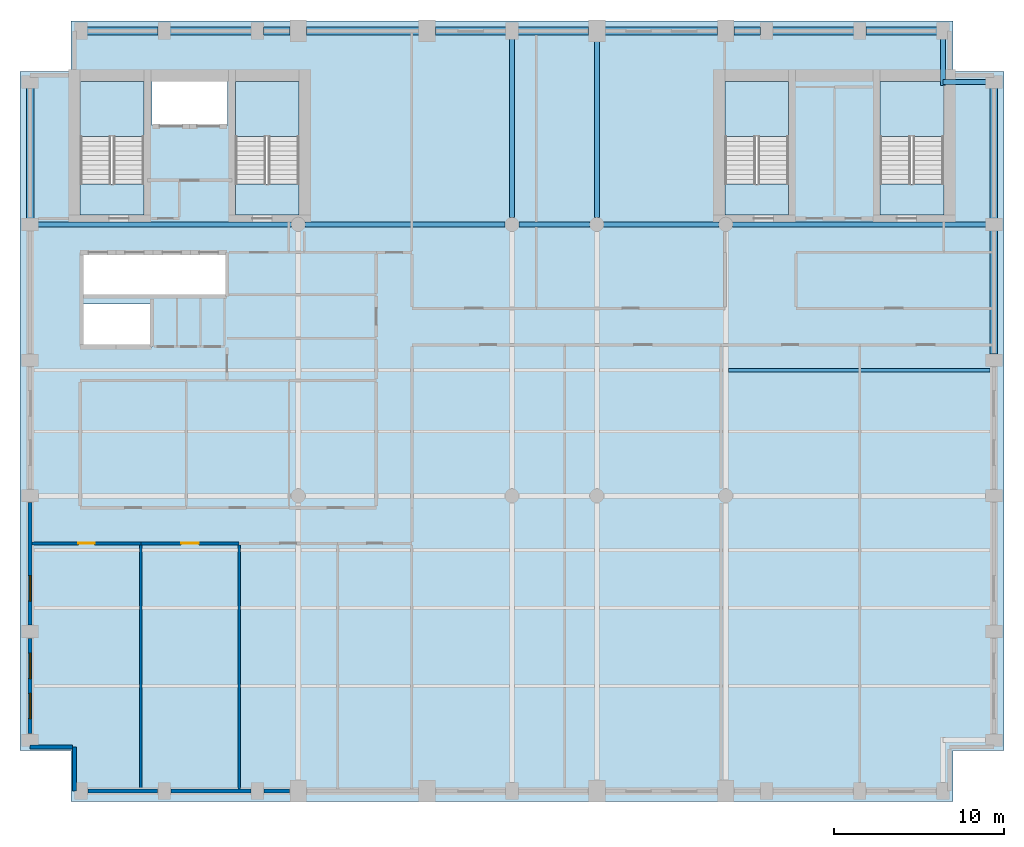
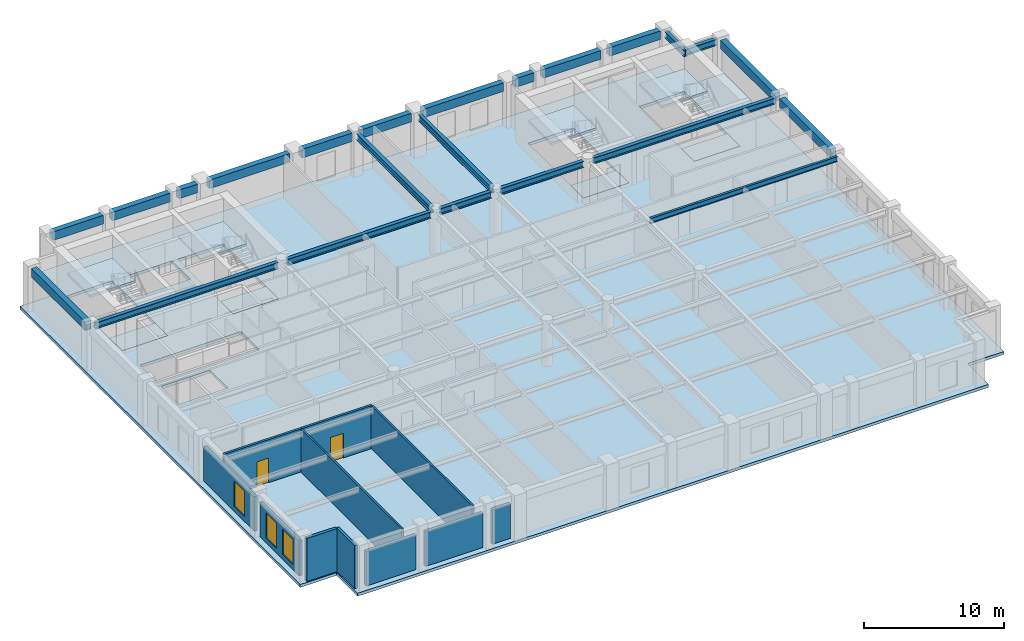
# One storey, part 2 of 8: 23 beams, 11 walls, 9 slabs, 3 windows, 2 doors, 5 openings, 4 elements without a shape of their own.
"""IFC4 building model written with IfcOpenShell, lengths in metres."""

from ifc_helpers import new_model, si_unit, direction, frame, frame_2d, origin, origin_2d, place, context, subcontext, project, spatial, polyline, rectangle, i_section, outline, extrude, material, layer, layer_set, material_profile, profile_set, type_object, element, fill, aggregate, save


model = new_model("IFC4")

# Units and contexts
model_context = context("Model", 3, precision=1e-05, world=origin(), true_north=direction((0.0, 1.0)))
body_context = subcontext(model_context, "Body", "Model", "MODEL_VIEW")
ifc_project = project(units=[si_unit("LENGTHUNIT", "METRE"), si_unit("AREAUNIT", "SQUARE_METRE"), si_unit("VOLUMEUNIT", "CUBIC_METRE"), si_unit("PLANEANGLEUNIT", "RADIAN"), si_unit("MASSUNIT", "GRAM", prefix="KILO")], contexts=[model_context])

# Site, building, storey
site_placement = place(None, origin())
site = spatial("IfcSite", under=ifc_project, at=site_placement, CompositionType="ELEMENT")
building_placement = place(site_placement, origin())
building = spatial("IfcBuilding", under=site, at=building_placement, Name="Sulina Concourse Tower", CompositionType="ELEMENT")
storey_placement = place(building_placement, frame((0.0, 0.0, 252.60009765625)))
storey = spatial("IfcBuildingStorey", under=building, at=storey_placement, Name="L61", CompositionType="ELEMENT", Elevation=252.60009765625)

# Beams
ifc_material_1 = material(Name="Steel S355", Category="steel")
ifc_material_profile_1 = material_profile(ifc_material_1, i_section(OverallWidth=0.18994140625, OverallDepth=0.449951171875, WebThickness=0.009521484375, FlangeThickness=0.0146484375, at=origin_2d()), Name="IPE 450")
ifc_profile_set_1 = profile_set([ifc_material_profile_1], Name="Steel S355")
beam_type_1 = type_object("IfcBeamType", Name="Composite Floor Joist IPE450", PredefinedType="JOIST", material=ifc_profile_set_1)
beam_1_placement = place(storey_placement, frame((41.75, 25.39990234375, 3.52490234375), z_axis=(1.0, 0.0, 0.0), x_axis=(0.0, 1.0, 0.0)))
element("IfcBeam", 1, at=beam_1_placement, inside=storey, type_object=beam_type_1, Name="FJ-J25-5-L61", PredefinedType="JOIST", context=body_context, shape_type="SweptSolid", body=[
    extrude(i_section(OverallWidth=0.18994140625, OverallDepth=0.449951171875, WebThickness=0.009521484375, FlangeThickness=0.0146484375, at=origin_2d()), origin(), (0.0, 0.0, 1.0), 15.425048828125),
])
ifc_material_2 = material(Name="Steel S355", Category="steel")
ifc_material_profile_2 = material_profile(ifc_material_2, i_section(OverallWidth=0.300048828125, OverallDepth=0.550048828125, WebThickness=0.014892578125, FlangeThickness=0.029052734375, at=origin_2d()), Name="HE 550 B")
ifc_profile_set_2 = profile_set([ifc_material_profile_2], Name="Steel S355")
beam_type_2 = type_object("IfcBeamType", Name="Floor Primary Girder Zone 4 HE550B", PredefinedType="BEAM", material=ifc_profile_set_2)
beam_2_placement = place(storey_placement, frame((54.39990234375, 42.39990234375, 3.474853515625), z_axis=(1.0, 0.0, 0.0), x_axis=(0.0, 1.0, 0.0)))
element("IfcBeam", 2, at=beam_2_placement, inside=storey, type_object=beam_type_2, Name="TIE-NE-L61", PredefinedType="BEAM", context=body_context, shape_type="SweptSolid", body=[
    extrude(i_section(OverallWidth=0.300048828125, OverallDepth=0.550048828125, WebThickness=0.014892578125, FlangeThickness=0.029052734375, at=origin_2d()), origin(), (0.0, 0.0, 1.0), 2.64501953125),
])
beam_3_placement = place(storey_placement, frame((54.39990234375, 42.199951171875, 3.474853515625), z_axis=(0.0, 1.0, 0.0), x_axis=(-1.0, 0.0, 0.0)))
element("IfcBeam", 3, at=beam_3_placement, inside=storey, type_object=beam_type_2, Name="TIE-NEN-L61", PredefinedType="BEAM", context=body_context, shape_type="SweptSolid", body=[
    extrude(i_section(OverallWidth=0.300048828125, OverallDepth=0.550048828125, WebThickness=0.014892578125, FlangeThickness=0.029052734375, at=origin_2d()), origin(), (0.0, 0.0, 1.0), 2.844970703125),
])
beam_4_placement = place(storey_placement, frame((0.955078125, 34.0, 3.474853515625), z_axis=(1.0, 0.0, 0.0), x_axis=(0.0, 1.0, 0.0)))
element("IfcBeam", 4, at=beam_4_placement, inside=storey, type_object=beam_type_2, Name="FG-EWN1-L61", PredefinedType="BEAM", context=body_context, shape_type="SweptSolid", body=[
    extrude(i_section(OverallWidth=0.300048828125, OverallDepth=0.550048828125, WebThickness=0.014892578125, FlangeThickness=0.029052734375, at=origin_2d()), origin(), (0.0, 0.0, 1.0), 15.0400390625),
])
beam_5_placement = place(storey_placement, frame((16.804931640625, 34.0, 3.474853515625), z_axis=(1.0, 0.0, 0.0), x_axis=(0.0, 1.0, 0.0)))
element("IfcBeam", 5, at=beam_5_placement, inside=storey, type_object=beam_type_2, Name="FG-EWN2-L61", PredefinedType="BEAM", context=body_context, shape_type="SweptSolid", body=[
    extrude(i_section(OverallWidth=0.300048828125, OverallDepth=0.550048828125, WebThickness=0.014892578125, FlangeThickness=0.029052734375, at=origin_2d()), origin(), (0.0, 0.0, 1.0), 11.7900390625),
])
beam_6_placement = place(storey_placement, frame((29.405029296875, 34.0, 3.474853515625), z_axis=(1.0, 0.0, 0.0), x_axis=(0.0, 1.0, 0.0)))
element("IfcBeam", 6, at=beam_6_placement, inside=storey, type_object=beam_type_2, Name="FG-EWN3-L61", PredefinedType="BEAM", context=body_context, shape_type="SweptSolid", body=[
    extrude(i_section(OverallWidth=0.300048828125, OverallDepth=0.550048828125, WebThickness=0.014892578125, FlangeThickness=0.029052734375, at=origin_2d()), origin(), (0.0, 0.0, 1.0), 4.18994140625),
])
beam_7_placement = place(storey_placement, frame((34.405029296875, 34.0, 3.474853515625), z_axis=(1.0, 0.0, 0.0), x_axis=(0.0, 1.0, 0.0)))
element("IfcBeam", 7, at=beam_7_placement, inside=storey, type_object=beam_type_2, Name="FG-EWN4-L61", PredefinedType="BEAM", context=body_context, shape_type="SweptSolid", body=[
    extrude(i_section(OverallWidth=0.300048828125, OverallDepth=0.550048828125, WebThickness=0.014892578125, FlangeThickness=0.029052734375, at=origin_2d()), origin(), (0.0, 0.0, 1.0), 6.7900390625),
])
beam_8_placement = place(storey_placement, frame((42.0048828125, 34.0, 3.474853515625), z_axis=(1.0, 0.0, 0.0), x_axis=(0.0, 1.0, 0.0)))
element("IfcBeam", 8, at=beam_8_placement, inside=storey, type_object=beam_type_2, Name="FG-EWN5-L61", PredefinedType="BEAM", context=body_context, shape_type="SweptSolid", body=[
    extrude(i_section(OverallWidth=0.300048828125, OverallDepth=0.550048828125, WebThickness=0.014892578125, FlangeThickness=0.029052734375, at=origin_2d()), origin(), (0.0, 0.0, 1.0), 15.0400390625),
])
beam_9_placement = place(storey_placement, frame((29.0, 34.405029296875, 3.474853515625), z_axis=(0.0, 1.0, 0.0), x_axis=(-1.0, 0.0, 0.0)))
element("IfcBeam", 9, at=beam_9_placement, inside=storey, type_object=beam_type_2, Name="FG-NSC-29-L61", PredefinedType="BEAM", context=body_context, shape_type="SweptSolid", body=[
    extrude(i_section(OverallWidth=0.300048828125, OverallDepth=0.550048828125, WebThickness=0.014892578125, FlangeThickness=0.029052734375, at=origin_2d()), origin(), (0.0, 0.0, 1.0), 10.639892578125),
])
beam_10_placement = place(storey_placement, frame((34.0, 34.405029296875, 3.474853515625), z_axis=(0.0, 1.0, 0.0), x_axis=(-1.0, 0.0, 0.0)))
element("IfcBeam", 10, at=beam_10_placement, inside=storey, type_object=beam_type_2, Name="FG-NSC-34-L61", PredefinedType="BEAM", context=body_context, shape_type="SweptSolid", body=[
    extrude(i_section(OverallWidth=0.300048828125, OverallDepth=0.550048828125, WebThickness=0.014892578125, FlangeThickness=0.029052734375, at=origin_2d()), origin(), (0.0, 0.0, 1.0), 10.514892578125),
])
ifc_material_3 = material(Name="Precast concrete C50/60", Category="concrete")
ifc_material_profile_3 = material_profile(ifc_material_3, rectangle(XDim=0.449951171875, YDim=0.75, at=origin_2d()), Name="RC 450x750")
ifc_profile_set_3 = profile_set([ifc_material_profile_3], Name="Precast concrete C50/60")
beam_type_3 = type_object("IfcBeamType", Name="Upper Precast Spandrel Edge Beam 450x750", PredefinedType="BEAM", material=ifc_profile_set_3)
beam_11_placement = place(storey_placement, frame((3.955078125, 45.39990234375, 3.375), z_axis=(1.0, 0.0, 0.0), x_axis=(0.0, 1.0, 0.0)))
element("IfcBeam", 11, at=beam_11_placement, inside=storey, type_object=beam_type_3, Name="SP-N1-L61", PredefinedType="BEAM", context=body_context, shape_type="SweptSolid", body=[
    extrude(rectangle(XDim=0.449951171875, YDim=0.75, at=origin_2d()), origin(), (0.0, 0.0, 1.0), 4.18994140625),
])
beam_12_placement = place(storey_placement, frame((8.85498046875, 45.39990234375, 3.375), z_axis=(1.0, 0.0, 0.0), x_axis=(0.0, 1.0, 0.0)))
element("IfcBeam", 12, at=beam_12_placement, inside=storey, type_object=beam_type_3, Name="SP-N2-L61", PredefinedType="BEAM", context=body_context, shape_type="SweptSolid", body=[
    extrude(rectangle(XDim=0.449951171875, YDim=0.75, at=origin_2d()), origin(), (0.0, 0.0, 1.0), 4.7900390625),
])
beam_13_placement = place(storey_placement, frame((14.35498046875, 45.39990234375, 3.375), z_axis=(1.0, 0.0, 0.0), x_axis=(0.0, 1.0, 0.0)))
element("IfcBeam", 13, at=beam_13_placement, inside=storey, type_object=beam_type_3, Name="SP-N3-L61", PredefinedType="BEAM", context=body_context, shape_type="SweptSolid", body=[
    extrude(rectangle(XDim=0.449951171875, YDim=0.75, at=origin_2d()), origin(), (0.0, 0.0, 1.0), 1.56494140625),
])
beam_14_placement = place(storey_placement, frame((16.8798828125, 45.39990234375, 3.375), z_axis=(1.0, 0.0, 0.0), x_axis=(0.0, 1.0, 0.0)))
element("IfcBeam", 14, at=beam_14_placement, inside=storey, type_object=beam_type_3, Name="SP-N4-L61", PredefinedType="BEAM", context=body_context, shape_type="SweptSolid", body=[
    extrude(rectangle(XDim=0.449951171875, YDim=0.75, at=origin_2d()), origin(), (0.0, 0.0, 1.0), 6.64013671875),
])
for number, where, z_axis, x_axis, name in (
    (15, (24.47998046875, 45.39990234375, 3.375), (1.0, 0.0, 0.0), (0.0, 1.0, 0.0), "SP-N5-L61"),
    (16, (29.35498046875, 45.39990234375, 3.375), (1.0, 0.0, 0.0), (0.0, 1.0, 0.0), "SP-N6-L61"),
):
    element("IfcBeam", number, at=place(storey_placement, frame(where, z_axis=z_axis, x_axis=x_axis)), inside=storey, type_object=beam_type_3, Name=name, PredefinedType="BEAM", context=body_context, shape_type="SweptSolid", body=[
        extrude(rectangle(XDim=0.449951171875, YDim=0.75, at=origin_2d()), origin(), (0.0, 0.0, 1.0), 4.1650390625),
    ])
beam_15_placement = place(storey_placement, frame((34.47998046875, 45.39990234375, 3.375), z_axis=(1.0, 0.0, 0.0), x_axis=(0.0, 1.0, 0.0)))
element("IfcBeam", 17, at=beam_15_placement, inside=storey, type_object=beam_type_3, Name="SP-N7-L61", PredefinedType="BEAM", context=body_context, shape_type="SweptSolid", body=[
    extrude(rectangle(XDim=0.449951171875, YDim=0.75, at=origin_2d()), origin(), (0.0, 0.0, 1.0), 6.64013671875),
])
beam_16_placement = place(storey_placement, frame((42.080078125, 45.39990234375, 3.375), z_axis=(1.0, 0.0, 0.0), x_axis=(0.0, 1.0, 0.0)))
element("IfcBeam", 18, at=beam_16_placement, inside=storey, type_object=beam_type_3, Name="SP-N8-L61", PredefinedType="BEAM", context=body_context, shape_type="SweptSolid", body=[
    extrude(rectangle(XDim=0.449951171875, YDim=0.75, at=origin_2d()), origin(), (0.0, 0.0, 1.0), 1.56494140625),
])
beam_17_placement = place(storey_placement, frame((44.35498046875, 45.39990234375, 3.375), z_axis=(1.0, 0.0, 0.0), x_axis=(0.0, 1.0, 0.0)))
element("IfcBeam", 19, at=beam_17_placement, inside=storey, type_object=beam_type_3, Name="SP-N9-L61", PredefinedType="BEAM", context=body_context, shape_type="SweptSolid", body=[
    extrude(rectangle(XDim=0.449951171875, YDim=0.75, at=origin_2d()), origin(), (0.0, 0.0, 1.0), 4.7900390625),
])
beam_18_placement = place(storey_placement, frame((49.85498046875, 45.39990234375, 3.375), z_axis=(1.0, 0.0, 0.0), x_axis=(0.0, 1.0, 0.0)))
element("IfcBeam", 20, at=beam_18_placement, inside=storey, type_object=beam_type_3, Name="SP-N10-L61", PredefinedType="BEAM", context=body_context, shape_type="SweptSolid", body=[
    extrude(rectangle(XDim=0.449951171875, YDim=0.75, at=origin_2d()), origin(), (0.0, 0.0, 1.0), 4.18994140625),
])
beam_19_placement = place(storey_placement, frame((0.60009765625, 34.35498046875, 3.375), z_axis=(0.0, 1.0, 0.0), x_axis=(-1.0, 0.0, 0.0)))
element("IfcBeam", 21, at=beam_19_placement, inside=storey, type_object=beam_type_3, Name="SP-W5-L61", PredefinedType="BEAM", context=body_context, shape_type="SweptSolid", body=[
    extrude(rectangle(XDim=0.449951171875, YDim=0.75, at=origin_2d()), origin(), (0.0, 0.0, 1.0), 7.68994140625),
])
beam_20_placement = place(storey_placement, frame((57.39990234375, 26.35498046875, 3.375), z_axis=(0.0, 1.0, 0.0), x_axis=(-1.0, 0.0, 0.0)))
element("IfcBeam", 22, at=beam_20_placement, inside=storey, type_object=beam_type_3, Name="SP-E4-L61", PredefinedType="BEAM", context=body_context, shape_type="SweptSolid", body=[
    extrude(rectangle(XDim=0.449951171875, YDim=0.75, at=origin_2d()), origin(), (0.0, 0.0, 1.0), 7.2900390625),
])
beam_21_placement = place(storey_placement, frame((57.39990234375, 34.35498046875, 3.375), z_axis=(0.0, 1.0, 0.0), x_axis=(-1.0, 0.0, 0.0)))
element("IfcBeam", 23, at=beam_21_placement, inside=storey, type_object=beam_type_3, Name="SP-E5-L61", PredefinedType="BEAM", context=body_context, shape_type="SweptSolid", body=[
    extrude(rectangle(XDim=0.449951171875, YDim=0.75, at=origin_2d()), origin(), (0.0, 0.0, 1.0), 7.68994140625),
])

# Slabs
ifc_material_4 = material(Name="Concrete C50/60", Category="concrete")
ifc_layer_1 = layer(ifc_material_4, 0.25)
ifc_layer_set_1 = layer_set([ifc_layer_1], Name="Concrete C50/60")
slab_type_1 = type_object("IfcSlabType", Name="High-Rise Composite Floor Slab 250mm", PredefinedType="FLOOR", material=ifc_layer_set_1)
slab_1_placement = place(storey_placement, frame((0.0, 0.0, -0.25)))
element("IfcSlab", 24, at=slab_1_placement, inside=storey, type_object=slab_type_1, Name="L61 structural floor slab", PredefinedType="FLOOR", context=body_context, shape_type="SweptSolid", body=[
    extrude(outline(polyline([(3.0, 0.0), (55.0, 0.0), (55.0, 3.0), (58.0, 3.0), (58.0, 43.0), (55.0, 43.0), (55.0, 46.0), (3.0, 46.0), (3.0, 43.0), (0.0, 43.0), (0.0, 3.0), (3.0, 3.0), (3.0, 0.0)]), holes=[polyline([(7.31005859375, 34.550048828125), (7.31005859375, 42.429931640625), (3.550048828125, 42.429931640625), (3.550048828125, 34.550048828125), (7.31005859375, 34.550048828125)]), polyline([(16.449951171875, 34.550048828125), (16.449951171875, 42.429931640625), (12.68994140625, 42.429931640625), (12.68994140625, 34.550048828125), (16.449951171875, 34.550048828125)]), polyline([(45.31005859375, 34.550048828125), (45.31005859375, 42.429931640625), (41.550048828125, 42.429931640625), (41.550048828125, 34.550048828125), (45.31005859375, 34.550048828125)]), polyline([(54.449951171875, 34.550048828125), (54.449951171875, 42.429931640625), (50.68994140625, 42.429931640625), (50.68994140625, 34.550048828125), (54.449951171875, 34.550048828125)]), polyline([(7.780029296875, 39.830078125), (12.219970703125, 39.830078125), (12.219970703125, 42.449951171875), (7.780029296875, 42.449951171875), (7.780029296875, 39.830078125)]), polyline([(3.739990234375, 26.780029296875), (7.77001953125, 26.780029296875), (7.77001953125, 29.320068359375), (3.739990234375, 29.320068359375), (3.739990234375, 26.780029296875)]), polyline([(3.739990234375, 29.780029296875), (12.10009765625, 29.780029296875), (12.10009765625, 32.3701171875), (3.739990234375, 32.3701171875), (3.739990234375, 29.780029296875)])]), origin(), (0.0, 0.0, 1.0), 0.25),
])
ifc_material_5 = material(Name="Concrete C50/60", Category="concrete")
ifc_layer_2 = layer(ifc_material_5, 0.199951171875)
ifc_layer_set_2 = layer_set([ifc_layer_2], Name="Concrete C50/60")
slab_type_2 = type_object("IfcSlabType", Name="Primary Core Stair Landing Slab 200mm", PredefinedType="LANDING", material=ifc_layer_set_2)
slab_2_placement = place(storey_placement, frame((0.0, 0.0, -0.2001953125)))
element("IfcSlab", 25, at=slab_2_placement, inside=storey, type_object=slab_type_2, Name="L61 ST-1 floor landing slab", PredefinedType="LANDING", context=body_context, shape_type="SweptSolid", body=[
    extrude(outline(polyline([(7.31005859375, 34.550048828125), (7.31005859375, 36.375), (3.550048828125, 36.375), (3.550048828125, 34.550048828125), (7.31005859375, 34.550048828125)])), origin(), (0.0, 0.0, 1.0), 0.2001953125),
])
slab_3_placement = place(storey_placement, frame((0.0, 0.0, -0.2001953125)))
element("IfcSlab", 26, at=slab_3_placement, inside=storey, type_object=slab_type_2, Name="L61 ST-2 floor landing slab", PredefinedType="LANDING", context=body_context, shape_type="SweptSolid", body=[
    extrude(outline(polyline([(16.449951171875, 34.550048828125), (16.449951171875, 36.375), (12.68994140625, 36.375), (12.68994140625, 34.550048828125), (16.449951171875, 34.550048828125)])), origin(), (0.0, 0.0, 1.0), 0.2001953125),
])
slab_4_placement = place(storey_placement, frame((0.0, 0.0, -0.2001953125)))
element("IfcSlab", 27, at=slab_4_placement, inside=storey, type_object=slab_type_2, Name="L61 ST-3 floor landing slab", PredefinedType="LANDING", context=body_context, shape_type="SweptSolid", body=[
    extrude(outline(polyline([(45.31005859375, 34.550048828125), (45.31005859375, 36.375), (41.550048828125, 36.375), (41.550048828125, 34.550048828125), (45.31005859375, 34.550048828125)])), origin(), (0.0, 0.0, 1.0), 0.2001953125),
])
slab_5_placement = place(storey_placement, frame((0.0, 0.0, -0.2001953125)))
element("IfcSlab", 28, at=slab_5_placement, inside=storey, type_object=slab_type_2, Name="L61 ST-4 floor landing slab", PredefinedType="LANDING", context=body_context, shape_type="SweptSolid", body=[
    extrude(outline(polyline([(54.449951171875, 34.550048828125), (54.449951171875, 36.375), (50.68994140625, 36.375), (50.68994140625, 34.550048828125), (54.449951171875, 34.550048828125)])), origin(), (0.0, 0.0, 1.0), 0.2001953125),
])

# Stair, slab
ifc_material_6 = material(Name="Concrete C50/60", Category="concrete")
stair_type_1 = type_object("IfcStairType", Name="Primary Core Dog-Leg Exit Stair 1800mm", PredefinedType="HALF_TURN_STAIR", material=ifc_material_6)
stair_1_placement = place(storey_placement, origin())
stair_1 = element("IfcStair", 29, at=stair_1_placement, inside=storey, type_object=stair_type_1, Name="L61 ST-1", PredefinedType="HALF_TURN_STAIR")
slab_6_placement = place(storey_placement, frame((0.0, 0.0, 1.7998046875)))
slab_6 = element("IfcSlab", 30, at=slab_6_placement, type_object=slab_type_2, Name="ST-1 landing 1", PredefinedType="LANDING", context=body_context, shape_type="SweptSolid", body=[
    extrude(outline(polyline([(7.304931640625, 39.175048828125), (7.304931640625, 42.425048828125), (3.554931640625, 42.425048828125), (3.554931640625, 39.175048828125), (7.304931640625, 39.175048828125)])), origin(), (0.0, 0.0, 1.0), 0.2001953125),
])
aggregate(stair_1, [slab_6])

stair_2_placement = place(storey_placement, origin())
stair_2 = element("IfcStair", 31, at=stair_2_placement, inside=storey, type_object=stair_type_1, Name="L61 ST-2", PredefinedType="HALF_TURN_STAIR")
slab_7_placement = place(storey_placement, frame((0.0, 0.0, 1.7998046875)))
slab_7 = element("IfcSlab", 32, at=slab_7_placement, type_object=slab_type_2, Name="ST-2 landing 1", PredefinedType="LANDING", context=body_context, shape_type="SweptSolid", body=[
    extrude(outline(polyline([(16.445068359375, 39.175048828125), (16.445068359375, 42.425048828125), (12.695068359375, 42.425048828125), (12.695068359375, 39.175048828125), (16.445068359375, 39.175048828125)])), origin(), (0.0, 0.0, 1.0), 0.2001953125),
])
aggregate(stair_2, [slab_7])

ifc_material_7 = material(Name="Concrete C50/60", Category="concrete")
stair_type_2 = type_object("IfcStairType", Name="Portal & Podium Core Exit Stair 1820mm", PredefinedType="HALF_TURN_STAIR", material=ifc_material_7)
stair_3_placement = place(storey_placement, origin())
stair_3 = element("IfcStair", 33, at=stair_3_placement, inside=storey, type_object=stair_type_2, Name="L61 ST-3", PredefinedType="HALF_TURN_STAIR")
slab_8_placement = place(storey_placement, frame((0.0, 0.0, 1.7998046875)))
slab_8 = element("IfcSlab", 34, at=slab_8_placement, type_object=slab_type_2, Name="ST-3 landing 1", PredefinedType="LANDING", context=body_context, shape_type="SweptSolid", body=[
    extrude(outline(polyline([(45.304931640625, 39.175048828125), (45.304931640625, 42.425048828125), (41.554931640625, 42.425048828125), (41.554931640625, 39.175048828125), (45.304931640625, 39.175048828125)])), origin(), (0.0, 0.0, 1.0), 0.2001953125),
])
aggregate(stair_3, [slab_8])

stair_4_placement = place(storey_placement, origin())
stair_4 = element("IfcStair", 35, at=stair_4_placement, inside=storey, type_object=stair_type_2, Name="L61 ST-4", PredefinedType="HALF_TURN_STAIR")
slab_9_placement = place(storey_placement, frame((0.0, 0.0, 1.7998046875)))
slab_9 = element("IfcSlab", 36, at=slab_9_placement, type_object=slab_type_2, Name="ST-4 landing 1", PredefinedType="LANDING", context=body_context, shape_type="SweptSolid", body=[
    extrude(outline(polyline([(54.445068359375, 39.175048828125), (54.445068359375, 42.425048828125), (50.695068359375, 42.425048828125), (50.695068359375, 39.175048828125), (54.445068359375, 39.175048828125)])), origin(), (0.0, 0.0, 1.0), 0.2001953125),
])
aggregate(stair_4, [slab_9])

# Walls
ifc_material_8 = material(Name="Precast concrete C50/60", Category="concrete")
ifc_layer_3 = layer(ifc_material_8, 0.239990234375)
ifc_layer_set_3 = layer_set([ifc_layer_3], Name="Precast concrete C50/60")
wall_type_1 = type_object("IfcWallType", Name="Crown Precast Masonry-Frame Facade Wall 240mm", PredefinedType="SOLIDWALL", material=ifc_layer_set_3)
wall_1_placement = place(storey_placement, frame((8.10498046875, 0.60009765625, 0.0), z_axis=(0.0, 0.0, 1.0), x_axis=(-1.0, 0.0, 0.0)))
element("IfcWall", 37, at=wall_1_placement, inside=storey, type_object=wall_type_1, Name="L61 exterior precast wall S1", PredefinedType="SOLIDWALL", context=body_context, shape_type="SweptSolid", body=[
    extrude(rectangle(XDim=4.10986328125, YDim=0.239990234375, at=frame_2d((2.054931640625, 0.0))), origin(), (0.0, 0.0, 1.0), 3.0),
])
wall_2_placement = place(storey_placement, frame((13.60498046875, 0.60009765625, 0.0), z_axis=(0.0, 0.0, 1.0), x_axis=(-1.0, 0.0, 0.0)))
element("IfcWall", 38, at=wall_2_placement, inside=storey, type_object=wall_type_1, Name="L61 exterior precast wall S2", PredefinedType="SOLIDWALL", context=body_context, shape_type="SweptSolid", body=[
    extrude(rectangle(XDim=4.7099609375, YDim=0.239990234375, at=frame_2d((2.35498046875, 0.0))), origin(), (0.0, 0.0, 1.0), 3.0),
])
wall_3_placement = place(storey_placement, frame((15.8798828125, 0.60009765625, 0.0), z_axis=(0.0, 0.0, 1.0), x_axis=(-1.0, 0.0, 0.0)))
element("IfcWall", 39, at=wall_3_placement, inside=storey, type_object=wall_type_1, Name="L61 exterior precast wall S3", PredefinedType="SOLIDWALL", context=body_context, shape_type="SweptSolid", body=[
    extrude(rectangle(XDim=1.48486328125, YDim=0.239990234375, at=frame_2d((0.742431640625, 0.0))), origin(), (0.0, 0.0, 1.0), 3.0),
])

# Wall, openings, windows
wall_4_placement = place(storey_placement, frame((0.60009765625, 3.9951171875, 0.0), z_axis=(0.0, 0.0, 1.0), x_axis=(0.0, 1.0, 0.0)))
wall_4 = element("IfcWall", 40, at=wall_4_placement, inside=storey, type_object=wall_type_1, Name="L61 exterior precast wall W1", PredefinedType="SOLIDWALL", context=body_context, shape_type="SweptSolid", body=[
    extrude(rectangle(XDim=5.60986328125, YDim=0.239990234375, at=frame_2d((2.804931640625, 0.0))), origin(), (0.0, 0.0, 1.0), 3.0),
])
opening_1_placement = place(wall_4_placement, frame((0.8701171875, 0.0, 0.419921875)))
opening_1 = element("IfcOpeningElement", 41, at=opening_1_placement, cuts=wall_4, Name="Opening WN-71", PredefinedType="OPENING", context=body_context, shape_type="SweptSolid", body=[
    extrude(rectangle(XDim=1.5, YDim=2.199951171875, at=frame_2d((0.75, 1.10009765625))), frame((0.0, 0.1298828125, 0.0), z_axis=(0.0, -1.0, 0.0), x_axis=(1.0, 0.0, 0.0)), (0.0, 0.0, 1.0), 0.260009765625),
])
opening_2_placement = place(wall_4_placement, frame((3.239990234375, 0.0, 0.419921875)))
opening_2 = element("IfcOpeningElement", 42, at=opening_2_placement, cuts=wall_4, Name="Opening WN-71", PredefinedType="OPENING", context=body_context, shape_type="SweptSolid", body=[
    extrude(rectangle(XDim=1.5, YDim=2.199951171875, at=frame_2d((0.75, 1.10009765625))), frame((0.0, 0.1298828125, 0.0), z_axis=(0.0, -1.0, 0.0), x_axis=(1.0, 0.0, 0.0)), (0.0, 0.0, 1.0), 0.260009765625),
])
ifc_material_9 = material(Name="Low-E solar double glazing in bronze aluminium", Category="aluminium")
window_type = type_object("IfcWindowType", Name="Punched Masonry-Frame Window 1500x2200", PartitioningType="SINGLE_PANEL", PredefinedType="WINDOW", material=ifc_material_9)
window_1_placement = place(opening_1_placement, origin())
window_1 = element("IfcWindow", 43, at=window_1_placement, inside=storey, type_object=window_type, Name="L61 punched window W1-1", OverallHeight=2.199951171875, OverallWidth=1.5, PartitioningType="SINGLE_PANEL", PredefinedType="WINDOW", context=body_context, shape_type="SweptSolid", body=[
    extrude(rectangle(XDim=1.5, YDim=2.199951171875, at=frame_2d((0.75, 1.10009765625))), frame((0.0, 0.030029296875, 0.0), z_axis=(0.0, -1.0, 0.0), x_axis=(1.0, 0.0, 0.0)), (0.0, 0.0, 1.0), 0.06005859375),
])
fill(opening_1, window_1)
window_2_placement = place(opening_2_placement, origin())
window_2 = element("IfcWindow", 44, at=window_2_placement, inside=storey, type_object=window_type, Name="L61 punched window W1-2", OverallHeight=2.199951171875, OverallWidth=1.5, PartitioningType="SINGLE_PANEL", PredefinedType="WINDOW", context=body_context, shape_type="SweptSolid", body=[
    extrude(rectangle(XDim=1.5, YDim=2.199951171875, at=frame_2d((0.75, 1.10009765625))), frame((0.0, 0.030029296875, 0.0), z_axis=(0.0, -1.0, 0.0), x_axis=(1.0, 0.0, 0.0)), (0.0, 0.0, 1.0), 0.06005859375),
])
fill(opening_2, window_2)

# Wall, opening, window
wall_5_placement = place(storey_placement, frame((0.60009765625, 10.39501953125, 0.0), z_axis=(0.0, 0.0, 1.0), x_axis=(0.0, 1.0, 0.0)))
wall_5 = element("IfcWall", 45, at=wall_5_placement, inside=storey, type_object=wall_type_1, Name="L61 exterior precast wall W2", PredefinedType="SOLIDWALL", context=body_context, shape_type="SweptSolid", body=[
    extrude(rectangle(XDim=7.2099609375, YDim=0.239990234375, at=frame_2d((3.60498046875, 0.0))), origin(), (0.0, 0.0, 1.0), 3.0),
])
opening_3_placement = place(wall_5_placement, frame((1.4033203125, 0.0, 0.419921875)))
opening_3 = element("IfcOpeningElement", 46, at=opening_3_placement, cuts=wall_5, Name="Opening WN-71", PredefinedType="OPENING", context=body_context, shape_type="SweptSolid", body=[
    extrude(rectangle(XDim=1.5, YDim=2.199951171875, at=frame_2d((0.75, 1.10009765625))), frame((0.0, 0.1298828125, 0.0), z_axis=(0.0, -1.0, 0.0), x_axis=(1.0, 0.0, 0.0)), (0.0, 0.0, 1.0), 0.260009765625),
])
window_3_placement = place(opening_3_placement, origin())
window_3 = element("IfcWindow", 47, at=window_3_placement, inside=storey, type_object=window_type, Name="L61 punched window W2-1", OverallHeight=2.199951171875, OverallWidth=1.5, PartitioningType="SINGLE_PANEL", PredefinedType="WINDOW", context=body_context, shape_type="SweptSolid", body=[
    extrude(rectangle(XDim=1.5, YDim=2.199951171875, at=frame_2d((0.75, 1.10009765625))), frame((0.0, 0.030029296875, 0.0), z_axis=(0.0, -1.0, 0.0), x_axis=(1.0, 0.0, 0.0)), (0.0, 0.0, 1.0), 0.06005859375),
])
fill(opening_3, window_3)

# Walls
wall_6_placement = place(storey_placement, frame((3.205078125, 0.60009765625, 0.0), z_axis=(0.0, 0.0, 1.0), x_axis=(0.0, 1.0, 0.0)))
element("IfcWall", 48, at=wall_6_placement, inside=storey, type_object=wall_type_1, Name="L61 exterior precast wall CSW1", PredefinedType="SOLIDWALL", context=body_context, shape_type="SweptSolid", body=[
    extrude(rectangle(XDim=2.60498046875, YDim=0.239990234375, at=frame_2d((1.302490234375, 0.0))), origin(), (0.0, 0.0, 1.0), 3.75),
])
wall_7_placement = place(storey_placement, frame((3.080078125, 3.205078125, 0.0), z_axis=(0.0, 0.0, 1.0), x_axis=(-1.0, 0.0, 0.0)))
element("IfcWall", 49, at=wall_7_placement, inside=storey, type_object=wall_type_1, Name="L61 exterior precast wall CSW2", PredefinedType="SOLIDWALL", context=body_context, shape_type="SweptSolid", body=[
    extrude(rectangle(XDim=2.47998046875, YDim=0.239990234375, at=frame_2d((1.239990234375, 0.0))), origin(), (0.0, 0.0, 1.0), 3.75),
])
ifc_material_10 = material(Name="Gypsum board on steel stud", Category="steel")
ifc_layer_4 = layer(ifc_material_10, 0.14990234375)
ifc_layer_set_4 = layer_set([ifc_layer_4], Name="Gypsum board on steel stud")
wall_type_2 = type_object("IfcWallType", Name="Inter-Tenancy Acoustic Partition 150mm", PredefinedType="PARTITIONING", material=ifc_layer_set_4)
for number, where, z_axis, x_axis, name in (
    (50, (7.1201171875, 0.719970703125, 0.0), (0.0, 0.0, 1.0), (0.0, 1.0, 0.0), "L61 interior partition 035"),
    (51, (12.919921875, 0.719970703125, 0.0), (0.0, 0.0, 1.0), (0.0, 1.0, 0.0), "L61 interior partition 042"),
):
    element("IfcWall", number, at=place(storey_placement, frame(where, z_axis=z_axis, x_axis=x_axis)), inside=storey, type_object=wall_type_2, Name=name, PredefinedType="PARTITIONING", context=body_context, shape_type="SweptSolid", body=[
        extrude(rectangle(XDim=14.39013671875, YDim=0.14990234375, at=frame_2d((7.195068359375, 0.0))), origin(), (0.0, 0.0, 1.0), 3.75),
    ])

# Wall, opening, door
ifc_material_11 = material(Name="Gypsum board on steel stud", Category="steel")
ifc_layer_5 = layer(ifc_material_11, 0.179931640625)
ifc_layer_set_5 = layer_set([ifc_layer_5], Name="Gypsum board on steel stud")
wall_type_3 = type_object("IfcWallType", Name="Protected Corridor & Riser Partition 180mm", PredefinedType="PARTITIONING", material=ifc_layer_set_5)
wall_8_placement = place(storey_placement, frame((0.719970703125, 15.199951171875, 0.0), z_axis=(0.0, 0.0, 1.0), x_axis=(1.0, 0.0, 0.0)))
wall_8 = element("IfcWall", 52, at=wall_8_placement, inside=storey, type_object=wall_type_3, Name="L61 interior partition 001", PredefinedType="PARTITIONING", context=body_context, shape_type="SweptSolid", body=[
    extrude(rectangle(XDim=6.400146484375, YDim=0.179931640625, at=frame_2d((3.2001953125, 0.0))), origin(), (0.0, 0.0, 1.0), 3.75),
])
opening_4_placement = place(wall_8_placement, frame((2.72509765625, 0.0, 0.0)))
opening_4 = element("IfcOpeningElement", 53, at=opening_4_placement, cuts=wall_8, Name="Opening DR-19", PredefinedType="OPENING", context=body_context, shape_type="SweptSolid", body=[
    extrude(rectangle(XDim=0.949951171875, YDim=2.14990234375, at=frame_2d((0.47509765625, 1.074951171875))), frame((0.0, 0.099853515625, 0.0), z_axis=(0.0, -1.0, 0.0), x_axis=(1.0, 0.0, 0.0)), (0.0, 0.0, 1.0), 0.199951171875),
])
ifc_material_12 = material(Name="Oak-veneered acoustic timber leaf", Category="wood")
ifc_layer_6 = layer(ifc_material_12, 0.050048828125)
ifc_layer_set_6 = layer_set([ifc_layer_6], Name="Oak-veneered acoustic timber leaf")
door_type_1 = type_object("IfcDoorType", Name="Cellular Office & Meeting Door 950x2150", OperationType="NOTDEFINED", PredefinedType="DOOR", material=ifc_layer_set_6)
door_1_placement = place(opening_4_placement, origin())
door_1 = element("IfcDoor", 54, at=door_1_placement, inside=storey, type_object=door_type_1, Name="L61 interior door L61-S01", OperationType="SINGLE_SWING_LEFT", OverallHeight=2.14990234375, OverallWidth=0.949951171875, PredefinedType="DOOR", context=body_context, shape_type="SweptSolid", body=[
    extrude(rectangle(XDim=0.949951171875, YDim=2.14990234375, at=frame_2d((0.47509765625, 1.074951171875))), frame((0.0, 0.02490234375, 0.0), z_axis=(0.0, -1.0, 0.0), x_axis=(1.0, 0.0, 0.0)), (0.0, 0.0, 1.0), 0.050048828125),
])
fill(opening_4, door_1)

wall_9_placement = place(storey_placement, frame((7.1201171875, 15.199951171875, 0.0), z_axis=(0.0, 0.0, 1.0), x_axis=(1.0, 0.0, 0.0)))
wall_9 = element("IfcWall", 55, at=wall_9_placement, inside=storey, type_object=wall_type_3, Name="L61 interior partition 002", PredefinedType="PARTITIONING", context=body_context, shape_type="SweptSolid", body=[
    extrude(rectangle(XDim=5.7998046875, YDim=0.179931640625, at=frame_2d((2.89990234375, 0.0))), origin(), (0.0, 0.0, 1.0), 3.75),
])
opening_5_placement = place(wall_9_placement, frame((2.375, 0.0, 0.0)))
opening_5 = element("IfcOpeningElement", 56, at=opening_5_placement, cuts=wall_9, Name="Opening DR-37", PredefinedType="OPENING", context=body_context, shape_type="SweptSolid", body=[
    extrude(rectangle(XDim=1.050048828125, YDim=2.14990234375, at=frame_2d((0.52490234375, 1.074951171875))), frame((0.0, 0.099853515625, 0.0), z_axis=(0.0, -1.0, 0.0), x_axis=(1.0, 0.0, 0.0)), (0.0, 0.0, 1.0), 0.199951171875),
])
ifc_material_13 = material(Name="Oak-veneered fire door leaf")
ifc_layer_7 = layer(ifc_material_13, 0.050048828125)
ifc_layer_set_7 = layer_set([ifc_layer_7], Name="Oak-veneered fire door leaf")
door_type_2 = type_object("IfcDoorType", Name="Tenant Suite Entrance Fire Door 1050x2150", OperationType="NOTDEFINED", PredefinedType="DOOR", material=ifc_layer_set_7)
door_2_placement = place(opening_5_placement, origin())
door_2 = element("IfcDoor", 57, at=door_2_placement, inside=storey, type_object=door_type_2, Name="L61 interior door L61-S02", OperationType="SINGLE_SWING_RIGHT", OverallHeight=2.14990234375, OverallWidth=1.050048828125, PredefinedType="DOOR", context=body_context, shape_type="SweptSolid", body=[
    extrude(rectangle(XDim=1.050048828125, YDim=2.14990234375, at=frame_2d((0.52490234375, 1.074951171875))), frame((0.0, 0.02490234375, 0.0), z_axis=(0.0, -1.0, 0.0), x_axis=(1.0, 0.0, 0.0)), (0.0, 0.0, 1.0), 0.050048828125),
])
fill(opening_5, door_2)

save(model, "model.ifc")
